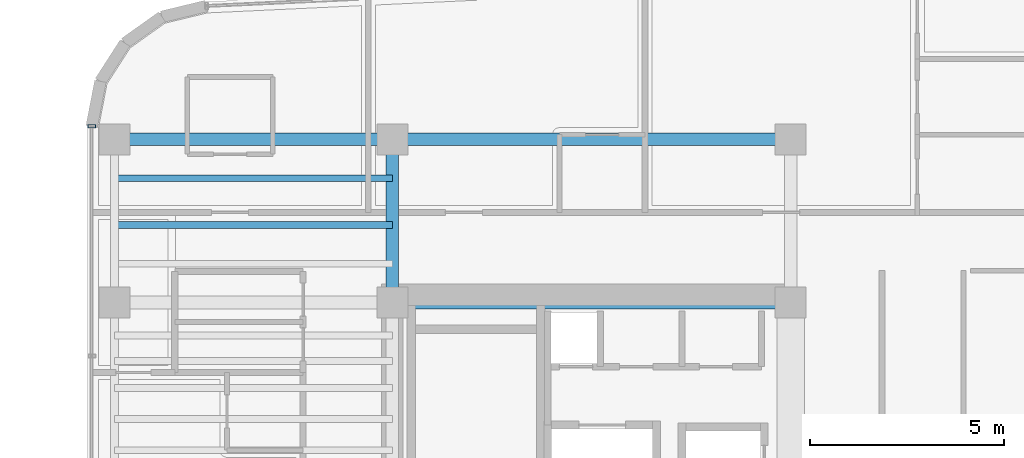
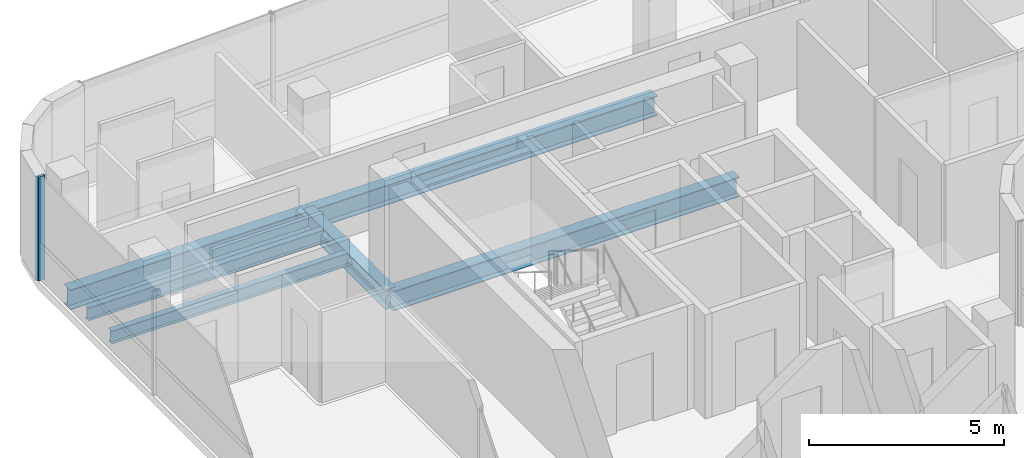
# One storey, part 7 of 19: 6 beams, 1 member, 1 element without a shape of its own.
"""IFC4 building model written with IfcOpenShell, lengths in metres."""

from ifc_helpers import new_model, si_unit, direction, frame, origin, origin_2d, place, context, subcontext, project, spatial, hollow_rectangle, i_section, extrude, source, transform, mapped, material, material_profile, profile_set, type_object, element, aggregate, save


model = new_model("IFC4")

# Units and contexts
model_context = context("Model", 3, precision=1e-05, world=origin(), true_north=direction((0.0, 1.0)))
body_context = subcontext(model_context, "Body", "Model", "MODEL_VIEW")
ifc_project = project(units=[si_unit("LENGTHUNIT", "METRE"), si_unit("AREAUNIT", "SQUARE_METRE"), si_unit("VOLUMEUNIT", "CUBIC_METRE"), si_unit("PLANEANGLEUNIT", "RADIAN"), si_unit("MASSUNIT", "GRAM", prefix="KILO")], contexts=[model_context])

# Site, building, storey
site_placement = place(None, origin())
site = spatial("IfcSite", under=ifc_project, at=site_placement, CompositionType="ELEMENT")
building_placement = place(site_placement, origin())
building = spatial("IfcBuilding", under=site, at=building_placement, Name="Valdorenza Pilgrim Sanctuary Tower", CompositionType="ELEMENT")
storey_placement = place(building_placement, frame((0.0, 0.0, 266.0)))
storey = spatial("IfcBuildingStorey", under=building, at=storey_placement, Name="L69", CompositionType="ELEMENT", Elevation=266.0)

# Beams
ifc_material_1 = material(Name="Steel ASTM A992 Grade 50", Category="steel")
ifc_material_profile_1 = material_profile(ifc_material_1, i_section(OverallWidth=0.323974609375, OverallDepth=0.611083984375, WebThickness=0.0126953125, FlangeThickness=0.01904296875, at=origin_2d()), Name="W24X104")
ifc_profile_set_1 = profile_set([ifc_material_profile_1], Name="Steel ASTM A992 Grade 50")
beam_type_1 = type_object("IfcBeamType", Name="STR-BM-GRD-W24B", PredefinedType="BEAM", material=ifc_profile_set_1)
shared_shape_1 = source(origin(), body_context, "Body", "SweptSolid", [
    extrude(i_section(OverallWidth=0.323974609375, OverallDepth=0.611083984375, WebThickness=0.0126953125, FlangeThickness=0.01904296875, at=origin_2d()), origin(), (0.0, 0.0, 1.0), 4.199951171875),
])
beam_1_placement = place(storey_placement, frame((-22.64990234375, 10.60009765625, -0.54541015625), z_axis=(0.0, 1.0, 0.0), x_axis=(-1.0, 0.0, 0.0)))
element("IfcBeam", 1, at=beam_1_placement, inside=storey, type_object=beam_type_1, Name="L69 Core Tie Girder CA-W-N1N2", PredefinedType="BEAM", context=body_context, shape_type="MappedRepresentation", body=[
    mapped(shared_shape_1, transform((0.0, 0.0, 0.0), x_axis=(1.0, 0.0, 0.0), y_axis=(0.0, 1.0, 0.0), z_axis=(0.0, 0.0, 1.0), scale=1.0)),
])
ifc_material_profile_2 = material_profile(ifc_material_1, i_section(OverallWidth=0.177978515625, OverallDepth=0.406005859375, WebThickness=0.0078125, FlangeThickness=0.0126953125, at=origin_2d()), Name="W16X40")
ifc_profile_set_2 = profile_set([ifc_material_profile_2], Name="Steel ASTM A992 Grade 50")
beam_type_2 = type_object("IfcBeamType", Name="STR-BM-JST-W16", PredefinedType="JOIST", material=ifc_profile_set_2)
shared_shape_2 = source(origin(), body_context, "Body", "SweptSolid", [
    extrude(i_section(OverallWidth=0.177978515625, OverallDepth=0.406005859375, WebThickness=0.0078125, FlangeThickness=0.0126953125, at=origin_2d()), origin(), (0.0, 0.0, 1.0), 7.150146484375),
])
for number, where, z_axis, x_axis, name in (
    (2, (-29.800048828125, 12.60009765625, -0.443115234375), (1.0, 0.0, 0.0), (0.0, 1.0, 0.0), "L69 Composite Floor Joist JST-WA-25"),
    (3, (-29.800048828125, 13.800048828125, -0.443115234375), (1.0, 0.0, 0.0), (0.0, 1.0, 0.0), "L69 Composite Floor Joist JST-WA-26"),
):
    element("IfcBeam", number, at=place(storey_placement, frame(where, z_axis=z_axis, x_axis=x_axis)), inside=storey, type_object=beam_type_2, Name=name, PredefinedType="JOIST", context=body_context, shape_type="MappedRepresentation", body=[
        mapped(shared_shape_2, transform((0.0, 0.0, 0.0), x_axis=(1.0, 0.0, 0.0), y_axis=(0.0, 1.0, 0.0), z_axis=(0.0, 0.0, 1.0), scale=1.0)),
    ])
ifc_material_profile_3 = material_profile(ifc_material_1, i_section(OverallWidth=0.326904296875, OverallDepth=0.6220703125, WebThickness=0.015380859375, FlangeThickness=0.0244140625, at=origin_2d()), Name="W24X131")
ifc_profile_set_3 = profile_set([ifc_material_profile_3], Name="Steel ASTM A992 Grade 50")
beam_type_3 = type_object("IfcBeamType", Name="STR-BM-GRD-W24A", PredefinedType="BEAM", material=ifc_profile_set_3)
shared_shape_3 = source(origin(), body_context, "Body", "SweptSolid", [
    extrude(i_section(OverallWidth=0.326904296875, OverallDepth=0.6220703125, WebThickness=0.015380859375, FlangeThickness=0.0244140625, at=origin_2d()), origin(), (0.0, 0.0, 1.0), 7.150146484375),
])
beam_2_placement = place(storey_placement, frame((-29.800048828125, 14.800048828125, -0.551025390625), z_axis=(1.0, 0.0, 0.0), x_axis=(0.0, 1.0, 0.0)))
element("IfcBeam", 4, at=beam_2_placement, inside=storey, type_object=beam_type_3, Name="L69 Floor Girder WA-XW-N2", PredefinedType="BEAM", context=body_context, shape_type="MappedRepresentation", body=[
    mapped(shared_shape_3, transform((0.0, 0.0, 0.0), x_axis=(1.0, 0.0, 0.0), y_axis=(0.0, 1.0, 0.0), z_axis=(0.0, 0.0, 1.0), scale=1.0)),
])
shared_shape_4 = source(origin(), body_context, "Body", "SweptSolid", [
    extrude(i_section(OverallWidth=0.326904296875, OverallDepth=0.6220703125, WebThickness=0.015380859375, FlangeThickness=0.0244140625, at=origin_2d()), origin(), (0.0, 0.0, 1.0), 10.25),
])
for number, where, z_axis, x_axis, name in (
    (5, (-22.64990234375, 10.60009765625, -0.551025390625), (1.0, 0.0, 0.0), (0.0, 1.0, 0.0), "L69 Floor Girder CA-XC-N1"),
    (6, (-22.64990234375, 14.800048828125, -0.551025390625), (1.0, 0.0, 0.0), (0.0, 1.0, 0.0), "L69 Floor Girder CA-XC-N2"),
):
    element("IfcBeam", number, at=place(storey_placement, frame(where, z_axis=z_axis, x_axis=x_axis)), inside=storey, type_object=beam_type_3, Name=name, PredefinedType="BEAM", context=body_context, shape_type="MappedRepresentation", body=[
        mapped(shared_shape_4, transform((0.0, 0.0, 0.0), x_axis=(1.0, 0.0, 0.0), y_axis=(0.0, 1.0, 0.0), z_axis=(0.0, 0.0, 1.0), scale=1.0)),
    ])

# Curtain wall, member
ifc_material_2 = material(Name="Curtain-wall IGU glazing", Category="glass")
curtain_wall_type = type_object("IfcCurtainWallType", Name="CW-SYS-02", PredefinedType="NOTDEFINED", material=ifc_material_2)
curtain_wall_placement = place(storey_placement, origin())
curtain_wall = element("IfcCurtainWall", 7, at=curtain_wall_placement, inside=storey, type_object=curtain_wall_type, Name="L69 Curtain Wall CW-L69-1-1S2", PredefinedType="NOTDEFINED")
ifc_material_3 = material(Name="Anodised aluminium AW-6060", Category="aluminium")
ifc_material_profile_4 = material_profile(ifc_material_3, hollow_rectangle(XDim=0.0849609375, YDim=0.199951171875, WallThickness=0.0048828125, at=origin_2d()), Name="ALU-M 200x85x5")
ifc_profile_set_4 = profile_set([ifc_material_profile_4], Name="Anodised aluminium AW-6060")
member_type = type_object("IfcMemberType", Name="CW-MUL-02", PredefinedType="MULLION", material=ifc_profile_set_4)
shared_shape_5 = source(origin(), body_context, "Body", "SweptSolid", [
    extrude(hollow_rectangle(XDim=0.0849609375, YDim=0.199951171875, WallThickness=0.0048828125, at=origin_2d()), origin(), (0.0, 0.0, 1.0), 3.260009765625),
])
member_placement = place(storey_placement, frame((-30.389892578125, 15.13671875, 0.0), z_axis=(0.0, 0.0, 1.0), x_axis=(0.0, 1.0, 0.0)))
member = element("IfcMember", 8, at=member_placement, type_object=member_type, Name="CW-L69-1-1S2 Mullion 4", PredefinedType="MULLION", context=body_context, shape_type="MappedRepresentation", body=[
    mapped(shared_shape_5, transform((0.0, 0.0, 0.0), x_axis=(1.0, 0.0, 0.0), y_axis=(0.0, 1.0, 0.0), z_axis=(0.0, 0.0, 1.0), scale=1.0)),
])
aggregate(curtain_wall, [member])

save(model, "model.ifc")
